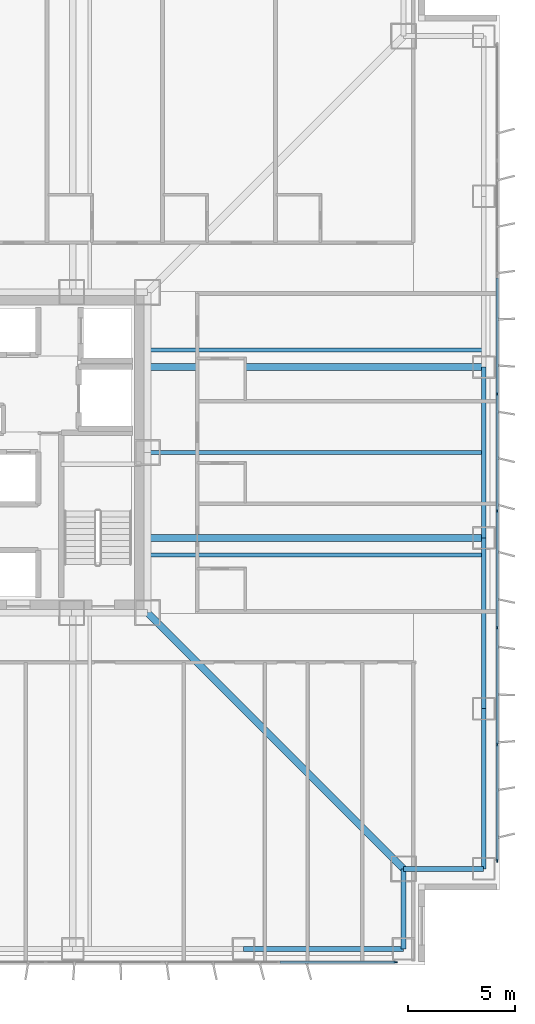
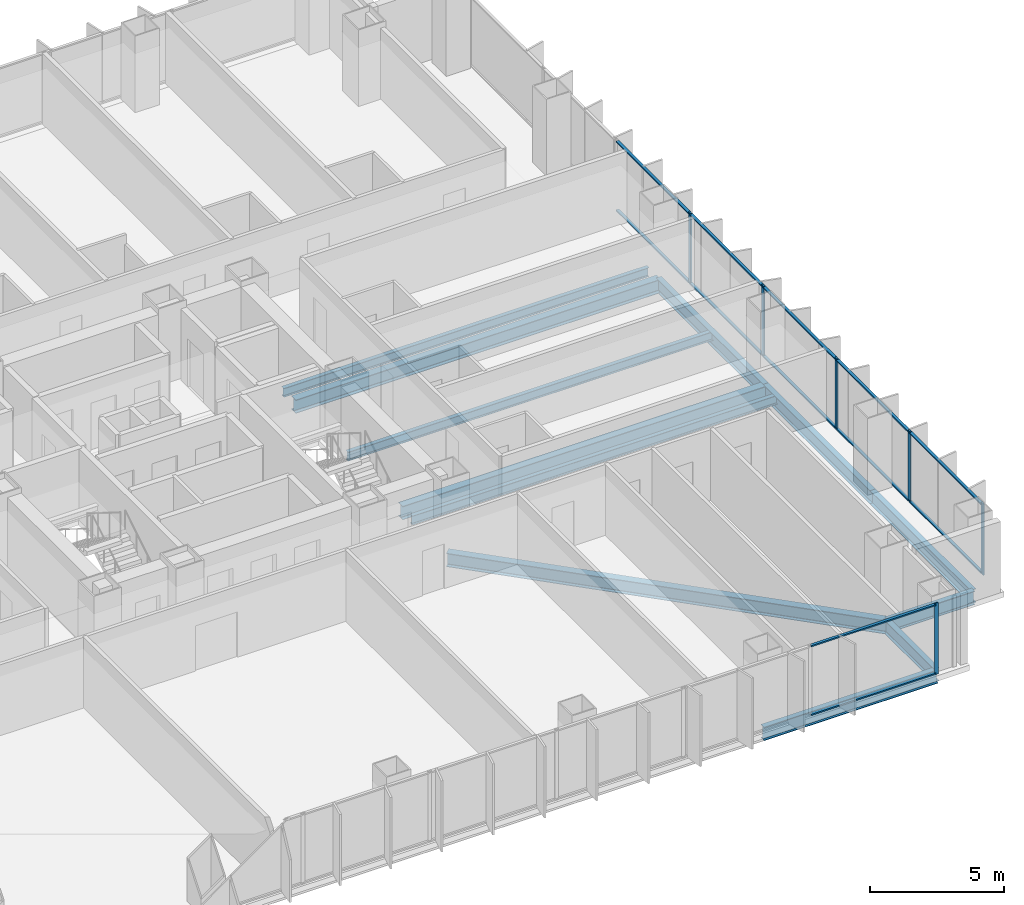
# One storey, part 6 of 17: 18 members, 12 beams, 2 elements without a shape of their own.
"""IFC4 building model written with IfcOpenShell, lengths in metres."""

from ifc_helpers import new_model, si_unit, direction, frame, origin, origin_2d, place, context, subcontext, project, spatial, rectangle, i_section, extrude, material, layer, layer_set, material_profile, profile_set, type_object, element, aggregate, save


model = new_model("IFC4")

# Units and contexts
model_context = context("Model", 3, precision=1e-05, world=origin(), true_north=direction((0.0, 1.0)))
body_context = subcontext(model_context, "Body", "Model", "MODEL_VIEW")
ifc_project = project(units=[si_unit("LENGTHUNIT", "METRE"), si_unit("AREAUNIT", "SQUARE_METRE"), si_unit("VOLUMEUNIT", "CUBIC_METRE"), si_unit("PLANEANGLEUNIT", "RADIAN"), si_unit("MASSUNIT", "GRAM", prefix="KILO")], contexts=[model_context])

# Site, building, storey
site_placement = place(None, origin())
site = spatial("IfcSite", under=ifc_project, at=site_placement, CompositionType="ELEMENT")
building_placement = place(site_placement, origin())
building = spatial("IfcBuilding", under=site, at=building_placement, Name="Trevonay Congress Spire", CompositionType="ELEMENT")
storey_placement = place(building_placement, frame((0.0, 0.0, 69.0)))
storey = spatial("IfcBuildingStorey", under=building, at=storey_placement, Name="L17", CompositionType="ELEMENT", Elevation=69.0)

# Beams
ifc_material_1 = material(Name="Steel ASTM A572 Grade 50", Category="steel")
ifc_material_profile_1 = material_profile(ifc_material_1, i_section(OverallWidth=0.324951171875, OverallDepth=0.615966796875, WebThickness=0.013916015625, FlangeThickness=0.021484375, FilletRadius=0.01806640625, at=origin_2d()), Name="W610x174")
ifc_profile_set_1 = profile_set([ifc_material_profile_1], Name="Steel ASTM A572 Grade 50")
beam_type_1 = type_object("IfcBeamType", Name="BM-GIRD-W610X174", PredefinedType="BEAM", material=ifc_profile_set_1)
beam_1_placement = place(storey_placement, frame((7.5, -7.5, -0.55810546875), z_axis=(0.707106781187, -0.707106781187, 0.0), x_axis=(0.707106781187, 0.707106781187, 0.0)))
element("IfcBeam", 1, at=beam_1_placement, inside=storey, type_object=beam_type_1, Name="L17 structural beam BM-L17-CDSE", PredefinedType="BEAM", context=body_context, shape_type="SweptSolid", body=[
    extrude(i_section(OverallWidth=0.324951171875, OverallDepth=0.615966796875, WebThickness=0.013916015625, FlangeThickness=0.021484375, FilletRadius=0.01806640625, at=origin_2d()), origin(), (0.0, 0.0, 1.0), 16.970458984375),
])
for number, where, z_axis, x_axis, name in (
    (2, (7.5, -4.0, -0.55810546875), (1.0, 0.0, 0.0), (0.0, 1.0, 0.0), "L17 structural beam BM-L17-GE-M"),
    (3, (7.5, 4.0, -0.55810546875), (1.0, 0.0, 0.0), (0.0, 1.0, 0.0), "L17 structural beam BM-L17-GE-P"),
):
    element("IfcBeam", number, at=place(storey_placement, frame(where, z_axis=z_axis, x_axis=x_axis)), inside=storey, type_object=beam_type_1, Name=name, PredefinedType="BEAM", context=body_context, shape_type="SweptSolid", body=[
        extrude(i_section(OverallWidth=0.324951171875, OverallDepth=0.615966796875, WebThickness=0.013916015625, FlangeThickness=0.021484375, FilletRadius=0.01806640625, at=origin_2d()), origin(), (0.0, 0.0, 1.0), 15.75),
    ])
ifc_material_profile_2 = material_profile(ifc_material_1, i_section(OverallWidth=0.22998046875, OverallDepth=0.616943359375, WebThickness=0.01318359375, FlangeThickness=0.022216796875, FilletRadius=0.01611328125, at=origin_2d()), Name="W610x140")
ifc_profile_set_2 = profile_set([ifc_material_profile_2], Name="Steel ASTM A572 Grade 50")
beam_type_2 = type_object("IfcBeamType", Name="BM-RING-W610X140", PredefinedType="BEAM", material=ifc_profile_set_2)
beam_2_placement = place(storey_placement, frame((23.25, -19.5, -0.55859375), z_axis=(0.0, 1.0, 0.0), x_axis=(-1.0, 0.0, 0.0)))
element("IfcBeam", 4, at=beam_2_placement, inside=storey, type_object=beam_type_2, Name="L17 structural beam BM-L17-PE1", PredefinedType="BEAM", context=body_context, shape_type="SweptSolid", body=[
    extrude(i_section(OverallWidth=0.22998046875, OverallDepth=0.616943359375, WebThickness=0.01318359375, FlangeThickness=0.022216796875, FilletRadius=0.01611328125, at=origin_2d()), origin(), (0.0, 0.0, 1.0), 7.5),
])
for number, where, z_axis, x_axis, name in (
    (5, (23.25, -12.0, -0.55859375), (0.0, 1.0, 0.0), (-1.0, 0.0, 0.0), "L17 structural beam BM-L17-PE2"),
    (6, (23.25, -4.0, -0.55859375), (0.0, 1.0, 0.0), (-1.0, 0.0, 0.0), "L17 structural beam BM-L17-PE3"),
):
    element("IfcBeam", number, at=place(storey_placement, frame(where, z_axis=z_axis, x_axis=x_axis)), inside=storey, type_object=beam_type_2, Name=name, PredefinedType="BEAM", context=body_context, shape_type="SweptSolid", body=[
        extrude(i_section(OverallWidth=0.22998046875, OverallDepth=0.616943359375, WebThickness=0.01318359375, FlangeThickness=0.022216796875, FilletRadius=0.01611328125, at=origin_2d()), origin(), (0.0, 0.0, 1.0), 8.0),
    ])
beam_3_placement = place(storey_placement, frame((12.0, -23.25, -0.55859375), z_axis=(1.0, 0.0, 0.0), x_axis=(0.0, 1.0, 0.0)))
element("IfcBeam", 7, at=beam_3_placement, inside=storey, type_object=beam_type_2, Name="L17 structural beam BM-L17-PS5", PredefinedType="BEAM", context=body_context, shape_type="SweptSolid", body=[
    extrude(i_section(OverallWidth=0.22998046875, OverallDepth=0.616943359375, WebThickness=0.01318359375, FlangeThickness=0.022216796875, FilletRadius=0.01611328125, at=origin_2d()), origin(), (0.0, 0.0, 1.0), 7.5),
])
for number, where, z_axis, x_axis, name in (
    (8, (19.5, -23.25, -0.55859375), (0.0, 1.0, 0.0), (-1.0, 0.0, 0.0), "L17 structural beam BM-L17-N1SE"),
    (9, (23.25, -19.5, -0.55859375), (-1.0, 0.0, 0.0), (0.0, -1.0, 0.0), "L17 structural beam BM-L17-N2SE"),
):
    element("IfcBeam", number, at=place(storey_placement, frame(where, z_axis=z_axis, x_axis=x_axis)), inside=storey, type_object=beam_type_2, Name=name, PredefinedType="BEAM", context=body_context, shape_type="SweptSolid", body=[
        extrude(i_section(OverallWidth=0.22998046875, OverallDepth=0.616943359375, WebThickness=0.01318359375, FlangeThickness=0.022216796875, FilletRadius=0.01611328125, at=origin_2d()), origin(), (0.0, 0.0, 1.0), 3.75),
    ])

# Curtain wall, member
ifc_material_2 = material(Name="Pale Anodised Aluminium EN AW-6063-T6", Category="aluminium")
ifc_layer = layer(ifc_material_2, 0.179931640625, Name="Pale Anodised Aluminium EN AW-6063-T6")
ifc_layer_set = layer_set([ifc_layer], Name="Pale Anodised Aluminium EN AW-6063-T6")
curtain_wall_type = type_object("IfcCurtainWallType", Name="CW-SYS02-HOTEL-PALE-METAL", PredefinedType="NOTDEFINED", material=ifc_layer_set)
curtain_wall_1_placement = place(storey_placement, origin())
curtain_wall_1 = element("IfcCurtainWall", 10, at=curtain_wall_1_placement, inside=storey, type_object=curtain_wall_type, Name="L17 S unitised curtain wall", PredefinedType="NOTDEFINED")
ifc_material_profile_3 = material_profile(ifc_material_2, rectangle(XDim=0.06005859375, YDim=0.159912109375, at=origin_2d()), Name="CW-MULLION-160-ALUMINIUM")
ifc_profile_set_3 = profile_set([ifc_material_profile_3], Name="Pale Anodised Aluminium EN AW-6063-T6")
member_type_1 = type_object("IfcMemberType", Name="CW-MULLION-160-ALUMINIUM", PredefinedType="MULLION", material=ifc_profile_set_3)
member_1_placement = place(storey_placement, frame((19.1201171875, -23.8798828125, 0.0), z_axis=(0.0, 0.0, 1.0), x_axis=(0.0, 1.0, 0.0)))
member_1 = element("IfcMember", 11, at=member_1_placement, type_object=member_type_1, Name="CW02 mullion 8", PredefinedType="MULLION", context=body_context, shape_type="SweptSolid", body=[
    extrude(rectangle(XDim=0.06005859375, YDim=0.159912109375, at=origin_2d()), origin(), (0.0, 0.0, 1.0), 3.25),
])

# Curtain wall, members
curtain_wall_2_placement = place(storey_placement, origin())
curtain_wall_2 = element("IfcCurtainWall", 12, at=curtain_wall_2_placement, inside=storey, type_object=curtain_wall_type, Name="L17 E unitised curtain wall", PredefinedType="NOTDEFINED")
member_2_placement = place(storey_placement, frame((23.8798828125, -19.1201171875, 0.0), z_axis=(0.0, 0.0, 1.0), x_axis=(-1.0, 0.0, 0.0)))
member_2 = element("IfcMember", 13, at=member_2_placement, type_object=member_type_1, Name="CW02 mullion 1", PredefinedType="MULLION", context=body_context, shape_type="SweptSolid", body=[
    extrude(rectangle(XDim=0.06005859375, YDim=0.159912109375, at=origin_2d()), origin(), (0.0, 0.0, 1.0), 3.25),
])
member_3_placement = place(storey_placement, frame((23.8798828125, -13.678466796875, 0.0), z_axis=(0.0, 0.0, 1.0), x_axis=(-1.0, 0.0, 0.0)))
member_3 = element("IfcMember", 14, at=member_3_placement, type_object=member_type_1, Name="CW02 mullion 2", PredefinedType="MULLION", context=body_context, shape_type="SweptSolid", body=[
    extrude(rectangle(XDim=0.06005859375, YDim=0.159912109375, at=origin_2d()), origin(), (0.0, 0.0, 1.0), 3.25),
])
member_4_placement = place(storey_placement, frame((23.8798828125, -8.20703125, 0.0), z_axis=(0.0, 0.0, 1.0), x_axis=(-1.0, 0.0, 0.0)))
member_4 = element("IfcMember", 15, at=member_4_placement, type_object=member_type_1, Name="CW02 mullion 3", PredefinedType="MULLION", context=body_context, shape_type="SweptSolid", body=[
    extrude(rectangle(XDim=0.06005859375, YDim=0.159912109375, at=origin_2d()), origin(), (0.0, 0.0, 1.0), 3.25),
])
member_5_placement = place(storey_placement, frame((23.8798828125, -2.735595703125, 0.0), z_axis=(0.0, 0.0, 1.0), x_axis=(-1.0, 0.0, 0.0)))
member_5 = element("IfcMember", 16, at=member_5_placement, type_object=member_type_1, Name="CW02 mullion 4", PredefinedType="MULLION", context=body_context, shape_type="SweptSolid", body=[
    extrude(rectangle(XDim=0.06005859375, YDim=0.159912109375, at=origin_2d()), origin(), (0.0, 0.0, 1.0), 3.25),
])
member_6_placement = place(storey_placement, frame((23.8798828125, 2.735595703125, 0.0), z_axis=(0.0, 0.0, 1.0), x_axis=(-1.0, 0.0, 0.0)))
member_6 = element("IfcMember", 17, at=member_6_placement, type_object=member_type_1, Name="CW02 mullion 5", PredefinedType="MULLION", context=body_context, shape_type="SweptSolid", body=[
    extrude(rectangle(XDim=0.06005859375, YDim=0.159912109375, at=origin_2d()), origin(), (0.0, 0.0, 1.0), 3.25),
])

# Member
ifc_material_profile_4 = material_profile(ifc_material_2, rectangle(XDim=0.1201171875, YDim=0.06005859375, at=origin_2d()), Name="CW-TRANSOM-120-ALUMINIUM")
ifc_profile_set_4 = profile_set([ifc_material_profile_4], Name="Pale Anodised Aluminium EN AW-6063-T6")
member_type_2 = type_object("IfcMemberType", Name="CW-TRANSOM-120-ALUMINIUM", PredefinedType="USERDEFINED", material=ifc_profile_set_4)
member_7_placement = place(storey_placement, frame((13.70849609375, -23.8798828125, 0.06005859375), z_axis=(1.0, 0.0, 0.0), x_axis=(0.0, 1.0, 0.0)))
member_7 = element("IfcMember", 18, at=member_7_placement, type_object=member_type_2, Name="CW02 transom 7.1", ObjectType="TRANSOM", PredefinedType="USERDEFINED", context=body_context, shape_type="SweptSolid", body=[
    extrude(rectangle(XDim=0.1201171875, YDim=0.06005859375, at=origin_2d()), origin(), (0.0, 0.0, 1.0), 5.381591796875),
])

member_8_placement = place(storey_placement, frame((13.70849609375, -23.8798828125, 3.18994140625), z_axis=(1.0, 0.0, 0.0), x_axis=(0.0, 1.0, 0.0)))
member_8 = element("IfcMember", 19, at=member_8_placement, type_object=member_type_2, Name="CW02 transom 7.2", ObjectType="TRANSOM", PredefinedType="USERDEFINED", context=body_context, shape_type="SweptSolid", body=[
    extrude(rectangle(XDim=0.1201171875, YDim=0.06005859375, at=origin_2d()), origin(), (0.0, 0.0, 1.0), 5.381591796875),
])

aggregate(curtain_wall_1, [member_1, member_7, member_8])

member_9_placement = place(storey_placement, frame((23.8798828125, -19.090087890625, 0.06005859375), z_axis=(0.0, 1.0, 0.0), x_axis=(-1.0, 0.0, 0.0)))
member_9 = element("IfcMember", 20, at=member_9_placement, type_object=member_type_2, Name="CW02 transom 1.1", ObjectType="TRANSOM", PredefinedType="USERDEFINED", context=body_context, shape_type="SweptSolid", body=[
    extrude(rectangle(XDim=0.1201171875, YDim=0.06005859375, at=origin_2d()), origin(), (0.0, 0.0, 1.0), 5.381591796875),
])

member_10_placement = place(storey_placement, frame((23.8798828125, -19.090087890625, 3.18994140625), z_axis=(0.0, 1.0, 0.0), x_axis=(-1.0, 0.0, 0.0)))
member_10 = element("IfcMember", 21, at=member_10_placement, type_object=member_type_2, Name="CW02 transom 1.2", ObjectType="TRANSOM", PredefinedType="USERDEFINED", context=body_context, shape_type="SweptSolid", body=[
    extrude(rectangle(XDim=0.1201171875, YDim=0.06005859375, at=origin_2d()), origin(), (0.0, 0.0, 1.0), 5.381591796875),
])

member_11_placement = place(storey_placement, frame((23.8798828125, -13.648681640625, 0.06005859375), z_axis=(0.0, 1.0, 0.0), x_axis=(-1.0, 0.0, 0.0)))
member_11 = element("IfcMember", 22, at=member_11_placement, type_object=member_type_2, Name="CW02 transom 2.1", ObjectType="TRANSOM", PredefinedType="USERDEFINED", context=body_context, shape_type="SweptSolid", body=[
    extrude(rectangle(XDim=0.1201171875, YDim=0.06005859375, at=origin_2d()), origin(), (0.0, 0.0, 1.0), 5.41162109375),
])

member_12_placement = place(storey_placement, frame((23.8798828125, -13.648681640625, 3.18994140625), z_axis=(0.0, 1.0, 0.0), x_axis=(-1.0, 0.0, 0.0)))
member_12 = element("IfcMember", 23, at=member_12_placement, type_object=member_type_2, Name="CW02 transom 2.2", ObjectType="TRANSOM", PredefinedType="USERDEFINED", context=body_context, shape_type="SweptSolid", body=[
    extrude(rectangle(XDim=0.1201171875, YDim=0.06005859375, at=origin_2d()), origin(), (0.0, 0.0, 1.0), 5.41162109375),
])

member_13_placement = place(storey_placement, frame((23.8798828125, -8.17724609375, 0.06005859375), z_axis=(0.0, 1.0, 0.0), x_axis=(-1.0, 0.0, 0.0)))
member_13 = element("IfcMember", 24, at=member_13_placement, type_object=member_type_2, Name="CW02 transom 3.1", ObjectType="TRANSOM", PredefinedType="USERDEFINED", context=body_context, shape_type="SweptSolid", body=[
    extrude(rectangle(XDim=0.1201171875, YDim=0.06005859375, at=origin_2d()), origin(), (0.0, 0.0, 1.0), 5.41162109375),
])

member_14_placement = place(storey_placement, frame((23.8798828125, -8.17724609375, 3.18994140625), z_axis=(0.0, 1.0, 0.0), x_axis=(-1.0, 0.0, 0.0)))
member_14 = element("IfcMember", 25, at=member_14_placement, type_object=member_type_2, Name="CW02 transom 3.2", ObjectType="TRANSOM", PredefinedType="USERDEFINED", context=body_context, shape_type="SweptSolid", body=[
    extrude(rectangle(XDim=0.1201171875, YDim=0.06005859375, at=origin_2d()), origin(), (0.0, 0.0, 1.0), 5.41162109375),
])

member_15_placement = place(storey_placement, frame((23.8798828125, -2.705810546875, 0.06005859375), z_axis=(0.0, 1.0, 0.0), x_axis=(-1.0, 0.0, 0.0)))
member_15 = element("IfcMember", 26, at=member_15_placement, type_object=member_type_2, Name="CW02 transom 4.1", ObjectType="TRANSOM", PredefinedType="USERDEFINED", context=body_context, shape_type="SweptSolid", body=[
    extrude(rectangle(XDim=0.1201171875, YDim=0.06005859375, at=origin_2d()), origin(), (0.0, 0.0, 1.0), 5.41162109375),
])

member_16_placement = place(storey_placement, frame((23.8798828125, -2.705810546875, 3.18994140625), z_axis=(0.0, 1.0, 0.0), x_axis=(-1.0, 0.0, 0.0)))
member_16 = element("IfcMember", 27, at=member_16_placement, type_object=member_type_2, Name="CW02 transom 4.2", ObjectType="TRANSOM", PredefinedType="USERDEFINED", context=body_context, shape_type="SweptSolid", body=[
    extrude(rectangle(XDim=0.1201171875, YDim=0.06005859375, at=origin_2d()), origin(), (0.0, 0.0, 1.0), 5.41162109375),
])

member_17_placement = place(storey_placement, frame((23.8798828125, 2.765625, 0.06005859375), z_axis=(0.0, 1.0, 0.0), x_axis=(-1.0, 0.0, 0.0)))
member_17 = element("IfcMember", 28, at=member_17_placement, type_object=member_type_2, Name="CW02 transom 5.1", ObjectType="TRANSOM", PredefinedType="USERDEFINED", context=body_context, shape_type="SweptSolid", body=[
    extrude(rectangle(XDim=0.1201171875, YDim=0.06005859375, at=origin_2d()), origin(), (0.0, 0.0, 1.0), 5.41162109375),
])

member_18_placement = place(storey_placement, frame((23.8798828125, 2.765625, 3.18994140625), z_axis=(0.0, 1.0, 0.0), x_axis=(-1.0, 0.0, 0.0)))
member_18 = element("IfcMember", 29, at=member_18_placement, type_object=member_type_2, Name="CW02 transom 5.2", ObjectType="TRANSOM", PredefinedType="USERDEFINED", context=body_context, shape_type="SweptSolid", body=[
    extrude(rectangle(XDim=0.1201171875, YDim=0.06005859375, at=origin_2d()), origin(), (0.0, 0.0, 1.0), 5.41162109375),
])

aggregate(curtain_wall_2, [member_2, member_3, member_4, member_5, member_6, member_9, member_10, member_11, member_12, member_13, member_14, member_15, member_16, member_17, member_18])

# Beams
ifc_material_profile_5 = material_profile(ifc_material_1, i_section(OverallWidth=0.177978515625, OverallDepth=0.406982421875, WebThickness=0.0078125, FlangeThickness=0.0126953125, FilletRadius=0.012939453125, at=origin_2d()), Name="W410x60")
ifc_profile_set_5 = profile_set([ifc_material_profile_5], Name="Steel ASTM A572 Grade 50")
beam_type_3 = type_object("IfcBeamType", Name="JS-COMP-W410X60", PredefinedType="JOIST", material=ifc_profile_set_5)
for number, where, z_axis, x_axis, name in (
    (30, (7.5, -4.800048828125, -0.45361328125), (1.0, 0.0, 0.0), (0.0, 1.0, 0.0), "L17 structural beam JS-L17-EW-E1"),
    (31, (7.5, 0.0, -0.45361328125), (1.0, 0.0, 0.0), (0.0, 1.0, 0.0), "L17 structural beam JS-L17-EW-E2"),
    (32, (7.5, 4.800048828125, -0.45361328125), (1.0, 0.0, 0.0), (0.0, 1.0, 0.0), "L17 structural beam JS-L17-EW-E3"),
):
    element("IfcBeam", number, at=place(storey_placement, frame(where, z_axis=z_axis, x_axis=x_axis)), inside=storey, type_object=beam_type_3, Name=name, PredefinedType="JOIST", context=body_context, shape_type="SweptSolid", body=[
        extrude(i_section(OverallWidth=0.177978515625, OverallDepth=0.406982421875, WebThickness=0.0078125, FlangeThickness=0.0126953125, FilletRadius=0.012939453125, at=origin_2d()), origin(), (0.0, 0.0, 1.0), 15.75),
    ])

save(model, "model.ifc")
